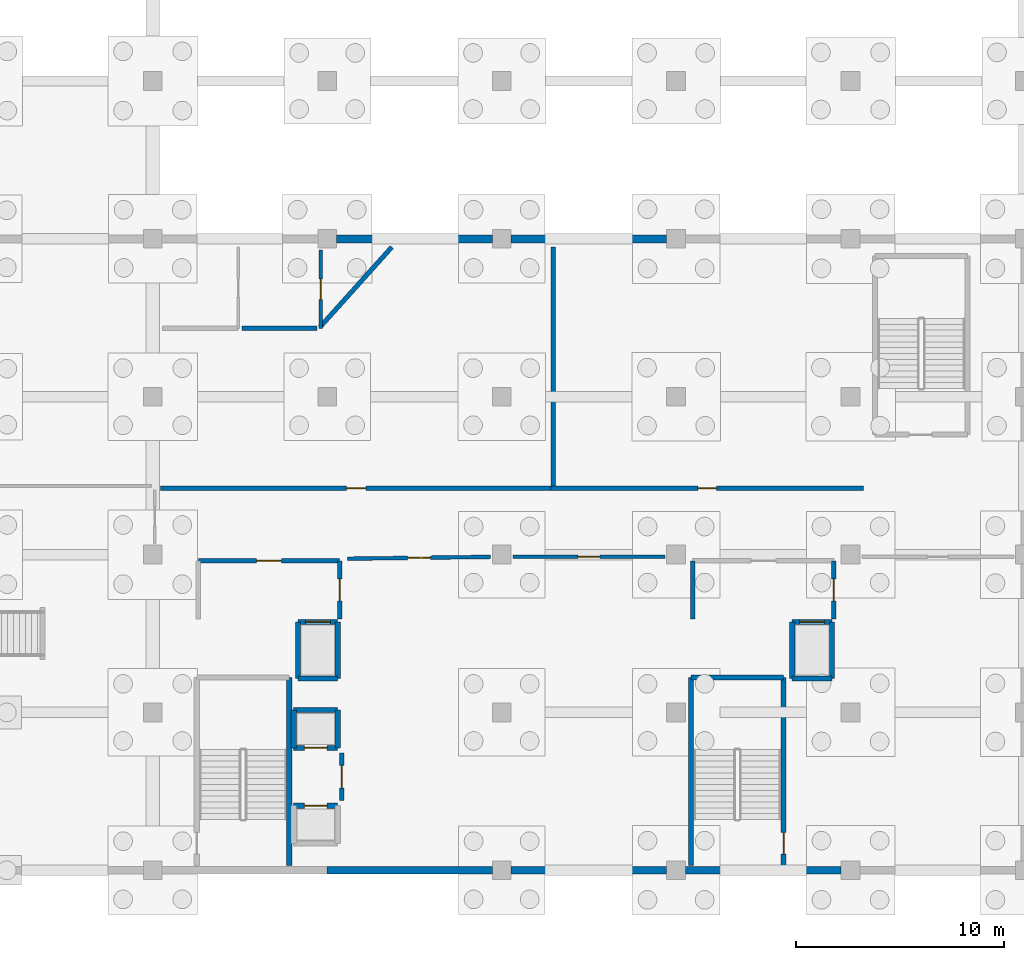
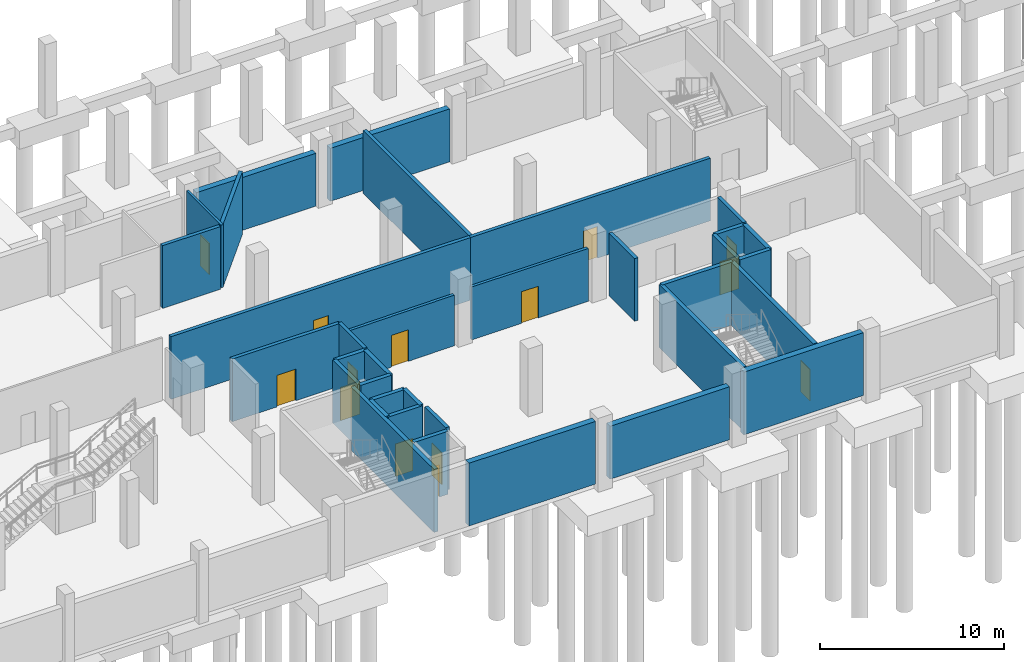
# One storey, part 14 of 22: 35 walls, 14 doors, 14 openings.
"""IFC4 building model written with IfcOpenShell, lengths in metres."""

from ifc_helpers import new_model, si_unit, direction, frame, frame_2d, origin, place, context, subcontext, project, spatial, rectangle, extrude, material, layer, layer_set, type_object, element, fill, save


model = new_model("IFC4")

# Units and contexts
model_context = context("Model", 3, precision=1e-05, world=origin(), true_north=direction((0.0, 1.0)))
body_context = subcontext(model_context, "Body", "Model", "MODEL_VIEW")
ifc_project = project(units=[si_unit("LENGTHUNIT", "METRE"), si_unit("AREAUNIT", "SQUARE_METRE"), si_unit("VOLUMEUNIT", "CUBIC_METRE"), si_unit("PLANEANGLEUNIT", "RADIAN"), si_unit("MASSUNIT", "GRAM", prefix="KILO")], contexts=[model_context])

# Site, building, storey
site_placement = place(None, origin())
site = spatial("IfcSite", under=ifc_project, at=site_placement, CompositionType="ELEMENT")
building_placement = place(site_placement, origin())
building = spatial("IfcBuilding", under=site, at=building_placement, Name="Zuvorla Pavilion Media Centre", CompositionType="ELEMENT")
storey_placement = place(building_placement, frame((0.0, 0.0, -4.5)))
storey = spatial("IfcBuildingStorey", under=building, at=storey_placement, Name="B01", CompositionType="ELEMENT", Elevation=-4.5)

# Wall, opening, door
ifc_material_1 = material(Name="Acoustic masonry blockwork C32/40", Category="masonry")
ifc_layer_1 = layer(ifc_material_1, 0.219970703125)
ifc_layer_set_1 = layer_set([ifc_layer_1], Name="Acoustic masonry blockwork C32/40")
wall_type_1 = type_object("IfcWallType", Name="WL-CMP-220", PredefinedType="SOLIDWALL", material=ifc_layer_set_1)
wall_1_placement = place(storey_placement, frame((69.0, 20.89990234375, 0.0), z_axis=(0.0, 0.0, 1.0), x_axis=(1.0, 0.0, 0.0)))
wall_1 = element("IfcWall", 1, at=wall_1_placement, inside=storey, type_object=wall_type_1, Name="B01 solid wall IW22 8", PredefinedType="SOLIDWALL", context=body_context, shape_type="SweptSolid", body=[
    extrude(rectangle(XDim=6.800048828125, YDim=0.219970703125, at=frame_2d((3.39990234375, 0.0))), origin(), (0.0, 0.0, 1.0), 4.159912109375),
])
opening_1_placement = place(wall_1_placement, frame((2.800048828125, 0.0, 0.0)))
opening_1 = element("IfcOpeningElement", 2, at=opening_1_placement, cuts=wall_1, Name="Opening FD06", PredefinedType="OPENING", context=body_context, shape_type="SweptSolid", body=[
    extrude(rectangle(XDim=1.199951171875, YDim=2.10009765625, at=frame_2d((0.60009765625, 1.050048828125))), frame((0.0, 0.119873046875, 0.0), z_axis=(0.0, -1.0, 0.0), x_axis=(1.0, 0.0, 0.0)), (0.0, 0.0, 1.0), 0.239990234375),
])
ifc_material_2 = material(Name="Acoustic timber fire door leaf in steel frame", Category="steel")
door_type_1 = type_object("IfcDoorType", Name="DR-INT-FD06", OperationType="NOTDEFINED", PredefinedType="DOOR", material=ifc_material_2)
door_1_placement = place(opening_1_placement, origin())
door_1 = element("IfcDoor", 3, at=door_1_placement, inside=storey, type_object=door_type_1, Name="Firefighting lobby 1 door FD06 2", OperationType="SINGLE_SWING_LEFT", OverallHeight=2.10009765625, OverallWidth=1.199951171875, PredefinedType="DOOR", context=body_context, shape_type="SweptSolid", body=[
    extrude(rectangle(XDim=1.199951171875, YDim=2.10009765625, at=frame_2d((0.60009765625, 1.050048828125))), frame((0.0, 0.02490234375, 0.0), z_axis=(0.0, -1.0, 0.0), x_axis=(1.0, 0.0, 0.0)), (0.0, 0.0, 1.0), 0.050048828125),
])
fill(opening_1, door_1)

wall_2_placement = place(storey_placement, frame((75.800048828125, 18.10009765625, 0.0), z_axis=(0.0, 0.0, 1.0), x_axis=(0.0, 1.0, 0.0)))
wall_2 = element("IfcWall", 4, at=wall_2_placement, inside=storey, type_object=wall_type_1, Name="B01 solid wall IW22 10", PredefinedType="SOLIDWALL", context=body_context, shape_type="SweptSolid", body=[
    extrude(rectangle(XDim=2.7998046875, YDim=0.219970703125, at=frame_2d((1.39990234375, 0.0))), origin(), (0.0, 0.0, 1.0), 4.159912109375),
])
opening_2_placement = place(wall_2_placement, frame((0.875, 0.0, 0.0)))
opening_2 = element("IfcOpeningElement", 5, at=opening_2_placement, cuts=wall_2, Name="Opening FD04", PredefinedType="OPENING", context=body_context, shape_type="SweptSolid", body=[
    extrude(rectangle(XDim=1.050048828125, YDim=2.10009765625, at=frame_2d((0.52490234375, 1.050048828125))), frame((0.0, 0.119873046875, 0.0), z_axis=(0.0, -1.0, 0.0), x_axis=(1.0, 0.0, 0.0)), (0.0, 0.0, 1.0), 0.239990234375),
])
door_type_2 = type_object("IfcDoorType", Name="DR-INT-FD04", OperationType="NOTDEFINED", PredefinedType="DOOR", material=ifc_material_2)
door_2_placement = place(opening_2_placement, origin())
door_2 = element("IfcDoor", 6, at=door_2_placement, inside=storey, type_object=door_type_2, Name="Firefighting lobby 1 access door FD04 3", OperationType="SINGLE_SWING_LEFT", OverallHeight=2.10009765625, OverallWidth=1.050048828125, PredefinedType="DOOR", context=body_context, shape_type="SweptSolid", body=[
    extrude(rectangle(XDim=1.050048828125, YDim=2.10009765625, at=frame_2d((0.52490234375, 1.050048828125))), frame((0.0, 0.02490234375, 0.0), z_axis=(0.0, -1.0, 0.0), x_axis=(1.0, 0.0, 0.0)), (0.0, 0.0, 1.0), 0.050048828125),
])
fill(opening_2, door_2)

wall_3_placement = place(storey_placement, frame((75.89990234375, 9.35009765625, 0.0), z_axis=(0.0, 0.0, 1.0), x_axis=(0.0, 1.0, 0.0)))
wall_3 = element("IfcWall", 7, at=wall_3_placement, inside=storey, type_object=wall_type_1, Name="B01 solid wall IW22 11", PredefinedType="SOLIDWALL", context=body_context, shape_type="SweptSolid", body=[
    extrude(rectangle(XDim=2.2998046875, YDim=0.219970703125, at=frame_2d((1.14990234375, 0.0))), origin(), (0.0, 0.0, 1.0), 4.159912109375),
])
opening_3_placement = place(wall_3_placement, frame((0.60009765625, 0.0, 0.0)))
opening_3 = element("IfcOpeningElement", 8, at=opening_3_placement, cuts=wall_3, Name="Opening FD05", PredefinedType="OPENING", context=body_context, shape_type="SweptSolid", body=[
    extrude(rectangle(XDim=1.10009765625, YDim=2.10009765625, at=frame_2d((0.550048828125, 1.050048828125))), frame((0.0, 0.119873046875, 0.0), z_axis=(0.0, -1.0, 0.0), x_axis=(1.0, 0.0, 0.0)), (0.0, 0.0, 1.0), 0.239990234375),
])
door_type_3 = type_object("IfcDoorType", Name="DR-INT-FD05", OperationType="NOTDEFINED", PredefinedType="DOOR", material=ifc_material_2)
door_3_placement = place(opening_3_placement, origin())
door_3 = element("IfcDoor", 9, at=door_3_placement, inside=storey, type_object=door_type_3, Name="Lift lobby 1 door FD05 4", OperationType="SINGLE_SWING_RIGHT", OverallHeight=2.10009765625, OverallWidth=1.10009765625, PredefinedType="DOOR", context=body_context, shape_type="SweptSolid", body=[
    extrude(rectangle(XDim=1.10009765625, YDim=2.10009765625, at=frame_2d((0.550048828125, 1.050048828125))), frame((0.0, 0.02490234375, 0.0), z_axis=(0.0, -1.0, 0.0), x_axis=(1.0, 0.0, 0.0)), (0.0, 0.0, 1.0), 0.050048828125),
])
fill(opening_3, door_3)

# Wall
wall_4_placement = place(storey_placement, frame((92.800048828125, 18.10009765625, 0.0), z_axis=(0.0, 0.0, 1.0), x_axis=(0.0, 1.0, 0.0)))
element("IfcWall", 10, at=wall_4_placement, inside=storey, type_object=wall_type_1, Name="B01 solid wall IW22 161", PredefinedType="SOLIDWALL", context=body_context, shape_type="SweptSolid", body=[
    extrude(rectangle(XDim=2.7998046875, YDim=0.219970703125, at=frame_2d((1.39990234375, 0.0))), origin(), (0.0, 0.0, 1.0), 4.159912109375),
])

# Wall, opening, door
wall_5_placement = place(storey_placement, frame((99.60009765625, 18.10009765625, 0.0), z_axis=(0.0, 0.0, 1.0), x_axis=(0.0, 1.0, 0.0)))
wall_5 = element("IfcWall", 11, at=wall_5_placement, inside=storey, type_object=wall_type_1, Name="B01 solid wall IW22 162", PredefinedType="SOLIDWALL", context=body_context, shape_type="SweptSolid", body=[
    extrude(rectangle(XDim=2.7998046875, YDim=0.219970703125, at=frame_2d((1.39990234375, 0.0))), origin(), (0.0, 0.0, 1.0), 4.159912109375),
])
opening_4_placement = place(wall_5_placement, frame((0.875, 0.0, 0.0)))
opening_4 = element("IfcOpeningElement", 12, at=opening_4_placement, cuts=wall_5, Name="Opening FD04", PredefinedType="OPENING", context=body_context, shape_type="SweptSolid", body=[
    extrude(rectangle(XDim=1.050048828125, YDim=2.10009765625, at=frame_2d((0.52490234375, 1.050048828125))), frame((0.0, 0.119873046875, 0.0), z_axis=(0.0, -1.0, 0.0), x_axis=(1.0, 0.0, 0.0)), (0.0, 0.0, 1.0), 0.239990234375),
])
door_4_placement = place(opening_4_placement, origin())
door_4 = element("IfcDoor", 13, at=door_4_placement, inside=storey, type_object=door_type_2, Name="Firefighting lobby 2 access door FD04 59", OperationType="SINGLE_SWING_LEFT", OverallHeight=2.10009765625, OverallWidth=1.050048828125, PredefinedType="DOOR", context=body_context, shape_type="SweptSolid", body=[
    extrude(rectangle(XDim=1.050048828125, YDim=2.10009765625, at=frame_2d((0.52490234375, 1.050048828125))), frame((0.0, 0.02490234375, 0.0), z_axis=(0.0, -1.0, 0.0), x_axis=(1.0, 0.0, 0.0)), (0.0, 0.0, 1.0), 0.050048828125),
])
fill(opening_4, door_4)

wall_6_placement = place(storey_placement, frame((85.98046875, 24.39990234375, 0.0), z_axis=(0.0, 0.0, 1.0), x_axis=(1.0, 0.0, 0.0)))
wall_6 = element("IfcWall", 14, at=wall_6_placement, inside=storey, type_object=wall_type_1, Name="B01 solid wall IW22 369", PredefinedType="SOLIDWALL", context=body_context, shape_type="SweptSolid", body=[
    extrude(rectangle(XDim=15.0390625, YDim=0.219970703125, at=frame_2d((7.51953125, 0.0))), origin(), (0.0, 0.0, 1.0), 4.159912109375),
])
opening_5_placement = place(wall_6_placement, frame((7.069580078125, 0.0, 0.0)))
opening_5 = element("IfcOpeningElement", 15, at=opening_5_placement, cuts=wall_6, Name="Opening FD01", PredefinedType="OPENING", context=body_context, shape_type="SweptSolid", body=[
    extrude(rectangle(XDim=0.89990234375, YDim=2.10009765625, at=frame_2d((0.449951171875, 1.050048828125))), frame((0.0, 0.119873046875, 0.0), z_axis=(0.0, -1.0, 0.0), x_axis=(1.0, 0.0, 0.0)), (0.0, 0.0, 1.0), 0.239990234375),
])
door_type_4 = type_object("IfcDoorType", Name="DR-INT-FD01", OperationType="NOTDEFINED", PredefinedType="DOOR", material=ifc_material_2)
door_5_placement = place(opening_5_placement, origin())
door_5 = element("IfcDoor", 16, at=door_5_placement, inside=storey, type_object=door_type_4, Name="Interior door FD01 117", OperationType="SINGLE_SWING_LEFT", OverallHeight=2.10009765625, OverallWidth=0.89990234375, PredefinedType="DOOR", context=body_context, shape_type="SweptSolid", body=[
    extrude(rectangle(XDim=0.89990234375, YDim=2.10009765625, at=frame_2d((0.449951171875, 1.050048828125))), frame((0.0, 0.02490234375, 0.0), z_axis=(0.0, -1.0, 0.0), x_axis=(1.0, 0.0, 0.0)), (0.0, 0.0, 1.0), 0.050048828125),
])
fill(opening_5, door_5)

wall_7_placement = place(storey_placement, frame((67.180419921875, 24.39990234375, 0.0), z_axis=(0.0, 0.0, 1.0), x_axis=(1.0, 0.0, 0.0)))
wall_7 = element("IfcWall", 17, at=wall_7_placement, inside=storey, type_object=wall_type_1, Name="B01 solid wall IW22 370", PredefinedType="SOLIDWALL", context=body_context, shape_type="SweptSolid", body=[
    extrude(rectangle(XDim=18.8291015625, YDim=0.219970703125, at=frame_2d((9.41455078125, 0.0))), origin(), (0.0, 0.0, 1.0), 4.159912109375),
])
opening_6_placement = place(wall_7_placement, frame((8.939453125, 0.0, 0.0)))
opening_6 = element("IfcOpeningElement", 18, at=opening_6_placement, cuts=wall_7, Name="Opening FD02", PredefinedType="OPENING", context=body_context, shape_type="SweptSolid", body=[
    extrude(rectangle(XDim=0.949951171875, YDim=2.10009765625, at=frame_2d((0.47509765625, 1.050048828125))), frame((0.0, 0.119873046875, 0.0), z_axis=(0.0, -1.0, 0.0), x_axis=(1.0, 0.0, 0.0)), (0.0, 0.0, 1.0), 0.239990234375),
])
door_type_5 = type_object("IfcDoorType", Name="DR-INT-FD02", OperationType="NOTDEFINED", PredefinedType="DOOR", material=ifc_material_2)
door_6_placement = place(opening_6_placement, origin())
door_6 = element("IfcDoor", 19, at=door_6_placement, inside=storey, type_object=door_type_5, Name="Interior door FD02 118", OperationType="SINGLE_SWING_RIGHT", OverallHeight=2.10009765625, OverallWidth=0.949951171875, PredefinedType="DOOR", context=body_context, shape_type="SweptSolid", body=[
    extrude(rectangle(XDim=0.949951171875, YDim=2.10009765625, at=frame_2d((0.47509765625, 1.050048828125))), frame((0.0, 0.02490234375, 0.0), z_axis=(0.0, -1.0, 0.0), x_axis=(1.0, 0.0, 0.0)), (0.0, 0.0, 1.0), 0.050048828125),
])
fill(opening_6, door_6)

# Walls
wall_8_placement = place(storey_placement, frame((78.31005859375, 36.0, 0.0), z_axis=(0.0, 0.0, 1.0), x_axis=(-0.668145634305, -0.744030517761, 0.0)))
element("IfcWall", 20, at=wall_8_placement, inside=storey, type_object=wall_type_1, Name="B01 solid wall IW22 377", PredefinedType="SOLIDWALL", context=body_context, shape_type="SweptSolid", body=[
    extrude(rectangle(XDim=5.17333984375, YDim=0.219970703125, at=frame_2d((2.586669921875, 0.0))), origin(), (0.0, 0.0, 1.0), 4.159912109375),
])
wall_9_placement = place(storey_placement, frame((74.7099609375, 32.09130859375, 0.0), z_axis=(0.0, 0.0, 1.0), x_axis=(-1.0, 0.0, 0.0)))
element("IfcWall", 21, at=wall_9_placement, inside=storey, type_object=wall_type_1, Name="B01 solid wall IW22 380", PredefinedType="SOLIDWALL", context=body_context, shape_type="SweptSolid", body=[
    extrude(rectangle(XDim=3.619873046875, YDim=0.219970703125, at=frame_2d((1.81005859375, 0.0))), origin(), (0.0, 0.0, 1.0), 4.159912109375),
])
wall_10_placement = place(storey_placement, frame((86.090087890625, 24.489990234375, 0.0), z_axis=(0.0, 0.0, 1.0), x_axis=(0.0, 1.0, 0.0)))
element("IfcWall", 22, at=wall_10_placement, inside=storey, type_object=wall_type_1, Name="B01 solid wall IW22 381", PredefinedType="SOLIDWALL", context=body_context, shape_type="SweptSolid", body=[
    extrude(rectangle(XDim=11.510009765625, YDim=0.219970703125, at=frame_2d((5.7548828125, 0.0))), origin(), (0.0, 0.0, 1.0), 4.159912109375),
])
ifc_material_3 = material(Name="Concrete C40/50", Category="concrete")
ifc_layer_2 = layer(ifc_material_3, 0.25)
ifc_layer_set_2 = layer_set([ifc_layer_2], Name="Concrete C40/50")
wall_type_2 = type_object("IfcWallType", Name="WL-COR-250", PredefinedType="SHEAR", material=ifc_layer_set_2)
wall_11_placement = place(storey_placement, frame((73.375, 6.22509765625, 0.0), z_axis=(0.0, 0.0, 1.0), x_axis=(0.0, 1.0, 0.0)))
element("IfcWall", 23, at=wall_11_placement, inside=storey, type_object=wall_type_2, Name="B01 shear wall CW25 6", PredefinedType="SHEAR", context=body_context, shape_type="SweptSolid", body=[
    extrude(rectangle(XDim=9.0498046875, YDim=0.25, at=frame_2d((4.52490234375, 0.0))), origin(), (0.0, 0.0, 1.0), 4.179931640625),
])

# Wall, opening, door
wall_12_placement = place(storey_placement, frame((73.590087890625, 9.110107421875, 0.0), z_axis=(0.0, 0.0, 1.0), x_axis=(1.0, 0.0, 0.0)))
wall_12 = element("IfcWall", 24, at=wall_12_placement, inside=storey, type_object=wall_type_2, Name="B01 shear wall CW25 62", PredefinedType="SHEAR", context=body_context, shape_type="SweptSolid", body=[
    extrude(rectangle(XDim=2.119873046875, YDim=0.25, at=frame_2d((1.06005859375, 0.0))), origin(), (0.0, 0.0, 1.0), 4.179931640625),
])
opening_7_placement = place(wall_12_placement, frame((0.510009765625, 0.0, 0.0)))
opening_7 = element("IfcOpeningElement", 25, at=opening_7_placement, cuts=wall_12, Name="Opening LD01", PredefinedType="OPENING", context=body_context, shape_type="SweptSolid", body=[
    extrude(rectangle(XDim=1.10009765625, YDim=2.14990234375, at=frame_2d((0.550048828125, 1.074951171875))), frame((0.0, 0.135009765625, 0.0), z_axis=(0.0, -1.0, 0.0), x_axis=(1.0, 0.0, 0.0)), (0.0, 0.0, 1.0), 0.27001953125),
])
ifc_material_4 = material(Name="Brushed stainless steel sliding lift landing door", Category="steel")
door_type_6 = type_object("IfcDoorType", Name="DR-LFT-LD01", OperationType="SLIDING_TO_LEFT", PredefinedType="DOOR", material=ifc_material_4)
door_7_placement = place(opening_7_placement, origin())
door_7 = element("IfcDoor", 26, at=door_7_placement, inside=storey, type_object=door_type_6, Name="Lift LF-01 landing door LD01 33", OperationType="SLIDING_TO_LEFT", OverallHeight=2.14990234375, OverallWidth=1.10009765625, PredefinedType="DOOR", context=body_context, shape_type="SweptSolid", body=[
    extrude(rectangle(XDim=1.10009765625, YDim=2.14990234375, at=frame_2d((0.550048828125, 1.074951171875))), frame((0.0, 0.02490234375, 0.0), z_axis=(0.0, -1.0, 0.0), x_axis=(1.0, 0.0, 0.0)), (0.0, 0.0, 1.0), 0.050048828125),
])
fill(opening_7, door_7)

wall_13_placement = place(storey_placement, frame((73.590087890625, 11.889892578125, 0.0), z_axis=(0.0, 0.0, 1.0), x_axis=(1.0, 0.0, 0.0)))
wall_13 = element("IfcWall", 27, at=wall_13_placement, inside=storey, type_object=wall_type_2, Name="B01 shear wall CW25 93", PredefinedType="SHEAR", context=body_context, shape_type="SweptSolid", body=[
    extrude(rectangle(XDim=2.119873046875, YDim=0.25, at=frame_2d((1.06005859375, 0.0))), origin(), (0.0, 0.0, 1.0), 4.179931640625),
])
opening_8_placement = place(wall_13_placement, frame((0.510009765625, 0.0, 0.0)))
opening_8 = element("IfcOpeningElement", 28, at=opening_8_placement, cuts=wall_13, Name="Opening LD01", PredefinedType="OPENING", context=body_context, shape_type="SweptSolid", body=[
    extrude(rectangle(XDim=1.10009765625, YDim=2.14990234375, at=frame_2d((0.550048828125, 1.074951171875))), frame((0.0, 0.135009765625, 0.0), z_axis=(0.0, -1.0, 0.0), x_axis=(1.0, 0.0, 0.0)), (0.0, 0.0, 1.0), 0.27001953125),
])
door_8_placement = place(opening_8_placement, origin())
door_8 = element("IfcDoor", 29, at=door_8_placement, inside=storey, type_object=door_type_6, Name="Lift LF-02 landing door LD01 41", OperationType="SLIDING_TO_LEFT", OverallHeight=2.14990234375, OverallWidth=1.10009765625, PredefinedType="DOOR", context=body_context, shape_type="SweptSolid", body=[
    extrude(rectangle(XDim=1.10009765625, YDim=2.14990234375, at=frame_2d((0.550048828125, 1.074951171875))), frame((0.0, 0.02490234375, 0.0), z_axis=(0.0, -1.0, 0.0), x_axis=(1.0, 0.0, 0.0)), (0.0, 0.0, 1.0), 0.050048828125),
])
fill(opening_8, door_8)

# Walls
wall_14_placement = place(storey_placement, frame((73.590087890625, 13.7099609375, 0.0), z_axis=(0.0, 0.0, 1.0), x_axis=(1.0, 0.0, 0.0)))
element("IfcWall", 30, at=wall_14_placement, inside=storey, type_object=wall_type_2, Name="B01 shear wall CW25 94", PredefinedType="SHEAR", context=body_context, shape_type="SweptSolid", body=[
    extrude(rectangle(XDim=2.119873046875, YDim=0.25, at=frame_2d((1.06005859375, 0.0))), origin(), (0.0, 0.0, 1.0), 4.179931640625),
])
for number, where, z_axis, x_axis, name in (
    (31, (73.590087890625, 11.889892578125, 0.0), (0.0, 0.0, 1.0), (0.0, 1.0, 0.0), "B01 shear wall CW25 95"),
    (32, (75.7099609375, 11.889892578125, 0.0), (0.0, 0.0, 1.0), (0.0, 1.0, 0.0), "B01 shear wall CW25 96"),
):
    element("IfcWall", number, at=place(storey_placement, frame(where, z_axis=z_axis, x_axis=x_axis)), inside=storey, type_object=wall_type_2, Name=name, PredefinedType="SHEAR", context=body_context, shape_type="SweptSolid", body=[
        extrude(rectangle(XDim=1.820068359375, YDim=0.25, at=frame_2d((0.91015625, 0.0))), origin(), (0.0, 0.0, 1.0), 4.179931640625),
    ])
wall_15_placement = place(storey_placement, frame((73.7900390625, 15.239990234375, 0.0), z_axis=(0.0, 0.0, 1.0), x_axis=(1.0, 0.0, 0.0)))
element("IfcWall", 33, at=wall_15_placement, inside=storey, type_object=wall_type_2, Name="B01 shear wall CW25 125", PredefinedType="SHEAR", context=body_context, shape_type="SweptSolid", body=[
    extrude(rectangle(XDim=1.919921875, YDim=0.25, at=frame_2d((0.9599609375, 0.0))), origin(), (0.0, 0.0, 1.0), 4.179931640625),
])

# Wall, opening, door
wall_16_placement = place(storey_placement, frame((73.7900390625, 17.9599609375, 0.0), z_axis=(0.0, 0.0, 1.0), x_axis=(1.0, 0.0, 0.0)))
wall_16 = element("IfcWall", 34, at=wall_16_placement, inside=storey, type_object=wall_type_2, Name="B01 shear wall CW25 126", PredefinedType="SHEAR", context=body_context, shape_type="SweptSolid", body=[
    extrude(rectangle(XDim=1.919921875, YDim=0.25, at=frame_2d((0.9599609375, 0.0))), origin(), (0.0, 0.0, 1.0), 4.179931640625),
])
opening_9_placement = place(wall_16_placement, frame((0.360107421875, 0.0, 0.0)))
opening_9 = element("IfcOpeningElement", 35, at=opening_9_placement, cuts=wall_16, Name="Opening LD02", PredefinedType="OPENING", context=body_context, shape_type="SweptSolid", body=[
    extrude(rectangle(XDim=1.199951171875, YDim=2.199951171875, at=frame_2d((0.60009765625, 1.10009765625))), frame((0.0, 0.135009765625, 0.0), z_axis=(0.0, -1.0, 0.0), x_axis=(1.0, 0.0, 0.0)), (0.0, 0.0, 1.0), 0.27001953125),
])
door_type_7 = type_object("IfcDoorType", Name="DR-LFT-LD02", OperationType="SLIDING_TO_LEFT", PredefinedType="DOOR", material=ifc_material_4)
door_9_placement = place(opening_9_placement, origin())
door_9 = element("IfcDoor", 36, at=door_9_placement, inside=storey, type_object=door_type_7, Name="Lift LF-03 landing door LD02 49", OperationType="SLIDING_TO_LEFT", OverallHeight=2.199951171875, OverallWidth=1.199951171875, PredefinedType="DOOR", context=body_context, shape_type="SweptSolid", body=[
    extrude(rectangle(XDim=1.199951171875, YDim=2.199951171875, at=frame_2d((0.60009765625, 1.10009765625))), frame((0.0, 0.02490234375, 0.0), z_axis=(0.0, -1.0, 0.0), x_axis=(1.0, 0.0, 0.0)), (0.0, 0.0, 1.0), 0.050048828125),
])
fill(opening_9, door_9)

# Walls
for number, where, z_axis, x_axis, name in (
    (37, (73.7900390625, 15.239990234375, 0.0), (0.0, 0.0, 1.0), (0.0, 1.0, 0.0), "B01 shear wall CW25 127"),
    (38, (75.7099609375, 15.239990234375, 0.0), (0.0, 0.0, 1.0), (0.0, 1.0, 0.0), "B01 shear wall CW25 128"),
):
    element("IfcWall", number, at=place(storey_placement, frame(where, z_axis=z_axis, x_axis=x_axis)), inside=storey, type_object=wall_type_2, Name=name, PredefinedType="SHEAR", context=body_context, shape_type="SweptSolid", body=[
        extrude(rectangle(XDim=2.719970703125, YDim=0.25, at=frame_2d((1.35986328125, 0.0))), origin(), (0.0, 0.0, 1.0), 4.179931640625),
    ])
wall_17_placement = place(storey_placement, frame((92.72509765625, 6.22509765625, 0.0), z_axis=(0.0, 0.0, 1.0), x_axis=(0.0, 1.0, 0.0)))
element("IfcWall", 39, at=wall_17_placement, inside=storey, type_object=wall_type_2, Name="B01 shear wall CW25 157", PredefinedType="SHEAR", context=body_context, shape_type="SweptSolid", body=[
    extrude(rectangle(XDim=9.0498046875, YDim=0.25, at=frame_2d((4.52490234375, 0.0))), origin(), (0.0, 0.0, 1.0), 4.179931640625),
])

# Wall, opening, door
wall_18_placement = place(storey_placement, frame((97.175048828125, 6.22509765625, 0.0), z_axis=(0.0, 0.0, 1.0), x_axis=(0.0, 1.0, 0.0)))
wall_18 = element("IfcWall", 40, at=wall_18_placement, inside=storey, type_object=wall_type_2, Name="B01 shear wall CW25 158", PredefinedType="SHEAR", context=body_context, shape_type="SweptSolid", body=[
    extrude(rectangle(XDim=9.0498046875, YDim=0.25, at=frame_2d((4.52490234375, 0.0))), origin(), (0.0, 0.0, 1.0), 4.179931640625),
])
opening_10_placement = place(wall_18_placement, frame((0.550048828125, 0.0, 0.0)))
opening_10 = element("IfcOpeningElement", 41, at=opening_10_placement, cuts=wall_18, Name="Opening FD04", PredefinedType="OPENING", context=body_context, shape_type="SweptSolid", body=[
    extrude(rectangle(XDim=1.050048828125, YDim=2.10009765625, at=frame_2d((0.52490234375, 1.050048828125))), frame((0.0, 0.135009765625, 0.0), z_axis=(0.0, -1.0, 0.0), x_axis=(1.0, 0.0, 0.0)), (0.0, 0.0, 1.0), 0.27001953125),
])
door_10_placement = place(opening_10_placement, frame((1.050048828125, 0.0, 0.0), z_axis=(0.0, 0.0, 1.0), x_axis=(-1.0, 0.0, 0.0)))
door_10 = element("IfcDoor", 42, at=door_10_placement, inside=storey, type_object=door_type_2, Name="Stair ST-02 fire door FD04 57", OperationType="SINGLE_SWING_LEFT", OverallHeight=2.10009765625, OverallWidth=1.050048828125, PredefinedType="DOOR", context=body_context, shape_type="SweptSolid", body=[
    extrude(rectangle(XDim=1.050048828125, YDim=2.10009765625, at=frame_2d((0.52490234375, 1.050048828125))), frame((0.0, 0.02490234375, 0.0), z_axis=(0.0, -1.0, 0.0), x_axis=(1.0, 0.0, 0.0)), (0.0, 0.0, 1.0), 0.050048828125),
])
fill(opening_10, door_10)

# Walls
wall_19_placement = place(storey_placement, frame((92.72509765625, 15.27490234375, 0.0), z_axis=(0.0, 0.0, 1.0), x_axis=(1.0, 0.0, 0.0)))
element("IfcWall", 43, at=wall_19_placement, inside=storey, type_object=wall_type_2, Name="B01 shear wall CW25 159", PredefinedType="SHEAR", context=body_context, shape_type="SweptSolid", body=[
    extrude(rectangle(XDim=4.449951171875, YDim=0.25, at=frame_2d((2.22509765625, 0.0))), origin(), (0.0, 0.0, 1.0), 4.179931640625),
])
wall_20_placement = place(storey_placement, frame((97.590087890625, 15.239990234375, 0.0), z_axis=(0.0, 0.0, 1.0), x_axis=(1.0, 0.0, 0.0)))
element("IfcWall", 44, at=wall_20_placement, inside=storey, type_object=wall_type_2, Name="B01 shear wall CW25 205", PredefinedType="SHEAR", context=body_context, shape_type="SweptSolid", body=[
    extrude(rectangle(XDim=1.919921875, YDim=0.25, at=frame_2d((0.9599609375, 0.0))), origin(), (0.0, 0.0, 1.0), 4.179931640625),
])

# Wall, opening, door
wall_21_placement = place(storey_placement, frame((97.590087890625, 17.9599609375, 0.0), z_axis=(0.0, 0.0, 1.0), x_axis=(1.0, 0.0, 0.0)))
wall_21 = element("IfcWall", 45, at=wall_21_placement, inside=storey, type_object=wall_type_2, Name="B01 shear wall CW25 206", PredefinedType="SHEAR", context=body_context, shape_type="SweptSolid", body=[
    extrude(rectangle(XDim=1.919921875, YDim=0.25, at=frame_2d((0.9599609375, 0.0))), origin(), (0.0, 0.0, 1.0), 4.179931640625),
])
opening_11_placement = place(wall_21_placement, frame((0.360107421875, 0.0, 0.0)))
opening_11 = element("IfcOpeningElement", 46, at=opening_11_placement, cuts=wall_21, Name="Opening LD02", PredefinedType="OPENING", context=body_context, shape_type="SweptSolid", body=[
    extrude(rectangle(XDim=1.199951171875, YDim=2.199951171875, at=frame_2d((0.60009765625, 1.10009765625))), frame((0.0, 0.135009765625, 0.0), z_axis=(0.0, -1.0, 0.0), x_axis=(1.0, 0.0, 0.0)), (0.0, 0.0, 1.0), 0.27001953125),
])
door_11_placement = place(opening_11_placement, origin())
door_11 = element("IfcDoor", 47, at=door_11_placement, inside=storey, type_object=door_type_7, Name="Lift LF-04 landing door LD02 81", OperationType="SLIDING_TO_LEFT", OverallHeight=2.199951171875, OverallWidth=1.199951171875, PredefinedType="DOOR", context=body_context, shape_type="SweptSolid", body=[
    extrude(rectangle(XDim=1.199951171875, YDim=2.199951171875, at=frame_2d((0.60009765625, 1.10009765625))), frame((0.0, 0.02490234375, 0.0), z_axis=(0.0, -1.0, 0.0), x_axis=(1.0, 0.0, 0.0)), (0.0, 0.0, 1.0), 0.050048828125),
])
fill(opening_11, door_11)

# Walls
for number, where, z_axis, x_axis, name in (
    (48, (97.590087890625, 15.239990234375, 0.0), (0.0, 0.0, 1.0), (0.0, 1.0, 0.0), "B01 shear wall CW25 207"),
    (49, (99.510009765625, 15.239990234375, 0.0), (0.0, 0.0, 1.0), (0.0, 1.0, 0.0), "B01 shear wall CW25 208"),
):
    element("IfcWall", number, at=place(storey_placement, frame(where, z_axis=z_axis, x_axis=x_axis)), inside=storey, type_object=wall_type_2, Name=name, PredefinedType="SHEAR", context=body_context, shape_type="SweptSolid", body=[
        extrude(rectangle(XDim=2.719970703125, YDim=0.25, at=frame_2d((1.35986328125, 0.0))), origin(), (0.0, 0.0, 1.0), 4.179931640625),
    ])
ifc_material_5 = material(Name="Dark charcoal terracotta concrete C40/50", Category="masonry")
ifc_layer_3 = layer(ifc_material_5, 0.3798828125)
ifc_layer_set_3 = layer_set([ifc_layer_3], Name="Dark charcoal terracotta concrete C40/50")
wall_type_3 = type_object("IfcWallType", Name="WL-EXT-380", PredefinedType="SOLIDWALL", material=ifc_layer_set_3)
wall_22_placement = place(storey_placement, frame((75.199951171875, 6.0, 0.0), z_axis=(0.0, 0.0, 1.0), x_axis=(1.0, 0.0, 0.0)))
element("IfcWall", 50, at=wall_22_placement, inside=storey, type_object=wall_type_3, Name="B01 exterior solid wall EW01 5", PredefinedType="SOLIDWALL", context=body_context, shape_type="SweptSolid", body=[
    extrude(rectangle(XDim=7.949951171875, YDim=0.3798828125, at=frame_2d((3.97509765625, 0.0))), origin(), (0.0, 0.0, 1.0), 4.159912109375),
])
wall_23_placement = place(storey_placement, frame((84.050048828125, 6.0, 0.0), z_axis=(0.0, 0.0, 1.0), x_axis=(1.0, 0.0, 0.0)))
element("IfcWall", 51, at=wall_23_placement, inside=storey, type_object=wall_type_3, Name="B01 exterior solid wall EW01 6", PredefinedType="SOLIDWALL", context=body_context, shape_type="SweptSolid", body=[
    extrude(rectangle(XDim=7.5, YDim=0.3798828125, at=frame_2d((3.75, 0.0))), origin(), (0.0, 0.0, 1.0), 3.51025390625),
])
wall_24_placement = place(storey_placement, frame((92.449951171875, 6.0, 0.0), z_axis=(0.0, 0.0, 1.0), x_axis=(1.0, 0.0, 0.0)))
element("IfcWall", 52, at=wall_24_placement, inside=storey, type_object=wall_type_3, Name="B01 exterior solid wall EW01 7", PredefinedType="SOLIDWALL", context=body_context, shape_type="SweptSolid", body=[
    extrude(rectangle(XDim=7.5, YDim=0.3798828125, at=frame_2d((3.75, 0.0))), origin(), (0.0, 0.0, 1.0), 4.159912109375),
])
for number, where, z_axis, x_axis, name in (
    (53, (91.550048828125, 36.39990234375, 0.0), (0.0, 0.0, 1.0), (-1.0, 0.0, 0.0), "B01 exterior solid wall EW01 15"),
    (54, (83.14990234375, 36.39990234375, 0.0), (0.0, 0.0, 1.0), (-1.0, 0.0, 0.0), "B01 exterior solid wall EW01 16"),
):
    element("IfcWall", number, at=place(storey_placement, frame(where, z_axis=z_axis, x_axis=x_axis)), inside=storey, type_object=wall_type_3, Name=name, PredefinedType="SOLIDWALL", context=body_context, shape_type="SweptSolid", body=[
        extrude(rectangle(XDim=7.5, YDim=0.3798828125, at=frame_2d((3.75, 0.0))), origin(), (0.0, 0.0, 1.0), 3.51025390625),
    ])

# Wall, opening, door
ifc_material_6 = material(Name="Acoustic gypsum stud partition")
ifc_layer_4 = layer(ifc_material_6, 0.14990234375)
ifc_layer_set_4 = layer_set([ifc_layer_4], Name="Acoustic gypsum stud partition")
wall_type_4 = type_object("IfcWallType", Name="WL-PRT-150", PredefinedType="PARTITIONING", material=ifc_layer_set_4)
wall_25_placement = place(storey_placement, frame((74.889892578125, 32.080078125, 0.0), z_axis=(0.0, 0.0, 1.0), x_axis=(0.0, 1.0, 0.0)))
wall_25 = element("IfcWall", 55, at=wall_25_placement, inside=storey, type_object=wall_type_4, Name="B01 partition PT15 376", PredefinedType="PARTITIONING", context=body_context, shape_type="SweptSolid", body=[
    extrude(rectangle(XDim=3.780029296875, YDim=0.14990234375, at=frame_2d((1.89013671875, 0.0))), origin(), (0.0, 0.0, 1.0), 4.159912109375),
])
opening_12_placement = place(wall_25_placement, frame((1.39990234375, 0.0, 0.0)))
opening_12 = element("IfcOpeningElement", 56, at=opening_12_placement, cuts=wall_25, Name="Opening ID03", PredefinedType="OPENING", context=body_context, shape_type="SweptSolid", body=[
    extrude(rectangle(XDim=0.97998046875, YDim=2.080078125, at=frame_2d((0.489990234375, 1.0400390625))), frame((0.0, 0.0849609375, 0.0), z_axis=(0.0, -1.0, 0.0), x_axis=(1.0, 0.0, 0.0)), (0.0, 0.0, 1.0), 0.169921875),
])
ifc_material_7 = material(Name="Hardwood acoustic studio door in anodised frame", Category="wood")
door_type_8 = type_object("IfcDoorType", Name="DR-UNR-ID03", OperationType="NOTDEFINED", PredefinedType="DOOR", material=ifc_material_7)
door_12_placement = place(opening_12_placement, origin())
door_12 = element("IfcDoor", 57, at=door_12_placement, inside=storey, type_object=door_type_8, Name="Interior door ID03 124", OperationType="SINGLE_SWING_RIGHT", OverallHeight=2.080078125, OverallWidth=0.97998046875, PredefinedType="DOOR", context=body_context, shape_type="SweptSolid", body=[
    extrude(rectangle(XDim=0.97998046875, YDim=2.080078125, at=frame_2d((0.489990234375, 1.0400390625))), frame((0.0, 0.02490234375, 0.0), z_axis=(0.0, -1.0, 0.0), x_axis=(1.0, 0.0, 0.0)), (0.0, 0.0, 1.0), 0.050048828125),
])
fill(opening_12, door_12)

ifc_material_8 = material(Name="Double acoustic gypsum stud partition")
ifc_layer_5 = layer(ifc_material_8, 0.179931640625)
ifc_layer_set_5 = layer_set([ifc_layer_5], Name="Double acoustic gypsum stud partition")
wall_type_5 = type_object("IfcWallType", Name="WL-PRT-180", PredefinedType="PARTITIONING", material=ifc_layer_set_5)
wall_26_placement = place(storey_placement, frame((91.4599609375, 21.090087890625, 0.0), z_axis=(0.0, 0.0, 1.0), x_axis=(-1.0, 0.0, 0.0)))
wall_26 = element("IfcWall", 58, at=wall_26_placement, inside=storey, type_object=wall_type_5, Name="B01 partition PT18 372", PredefinedType="PARTITIONING", context=body_context, shape_type="SweptSolid", body=[
    extrude(rectangle(XDim=7.320068359375, YDim=0.179931640625, at=frame_2d((3.66015625, 0.0))), origin(), (0.0, 0.0, 1.0), 3.51025390625),
])
opening_13_placement = place(wall_26_placement, frame((3.135009765625, 0.0, 0.0)))
opening_13 = element("IfcOpeningElement", 59, at=opening_13_placement, cuts=wall_26, Name="Opening FD04", PredefinedType="OPENING", context=body_context, shape_type="SweptSolid", body=[
    extrude(rectangle(XDim=1.050048828125, YDim=2.10009765625, at=frame_2d((0.52490234375, 1.050048828125))), frame((0.0, 0.099853515625, 0.0), z_axis=(0.0, -1.0, 0.0), x_axis=(1.0, 0.0, 0.0)), (0.0, 0.0, 1.0), 0.199951171875),
])
door_13_placement = place(opening_13_placement, origin())
door_13 = element("IfcDoor", 60, at=door_13_placement, inside=storey, type_object=door_type_2, Name="Interior door FD04 120", OperationType="SINGLE_SWING_RIGHT", OverallHeight=2.10009765625, OverallWidth=1.050048828125, PredefinedType="DOOR", context=body_context, shape_type="SweptSolid", body=[
    extrude(rectangle(XDim=1.050048828125, YDim=2.10009765625, at=frame_2d((0.52490234375, 1.050048828125))), frame((0.0, 0.02490234375, 0.0), z_axis=(0.0, -1.0, 0.0), x_axis=(1.0, 0.0, 0.0)), (0.0, 0.0, 1.0), 0.050048828125),
])
fill(opening_13, door_13)

wall_27_placement = place(storey_placement, frame((83.06005859375, 21.089111328125, 0.0), z_axis=(0.0, 0.0, 1.0), x_axis=(-0.99991794977, -0.012809907373, 0.0)))
wall_27 = element("IfcWall", 61, at=wall_27_placement, inside=storey, type_object=wall_type_5, Name="B01 partition PT18 373", PredefinedType="PARTITIONING", context=body_context, shape_type="SweptSolid", body=[
    extrude(rectangle(XDim=6.880126953125, YDim=0.179931640625, at=frame_2d((3.43994140625, 0.0))), origin(), (0.0, 0.0, 1.0), 3.359619140625),
])
opening_14_placement = place(wall_27_placement, frame((2.889892578125, 0.0, 0.0)))
opening_14 = element("IfcOpeningElement", 62, at=opening_14_placement, cuts=wall_27, Name="Opening FD05", PredefinedType="OPENING", context=body_context, shape_type="SweptSolid", body=[
    extrude(rectangle(XDim=1.10009765625, YDim=2.10009765625, at=frame_2d((0.550048828125, 1.050048828125))), frame((0.0, 0.099853515625, 0.0), z_axis=(0.0, -1.0, 0.0), x_axis=(1.0, 0.0, 0.0)), (0.0, 0.0, 1.0), 0.199951171875),
])
door_14_placement = place(opening_14_placement, origin())
door_14 = element("IfcDoor", 63, at=door_14_placement, inside=storey, type_object=door_type_3, Name="Interior door FD05 121", OperationType="SINGLE_SWING_LEFT", OverallHeight=2.10009765625, OverallWidth=1.10009765625, PredefinedType="DOOR", context=body_context, shape_type="SweptSolid", body=[
    extrude(rectangle(XDim=1.10009765625, YDim=2.10009765625, at=frame_2d((0.550048828125, 1.050048828125))), frame((0.0, 0.02490234375, 0.0), z_axis=(0.0, -1.0, 0.0), x_axis=(1.0, 0.0, 0.0)), (0.0, 0.0, 1.0), 0.050048828125),
])
fill(opening_14, door_14)

save(model, "model.ifc")
